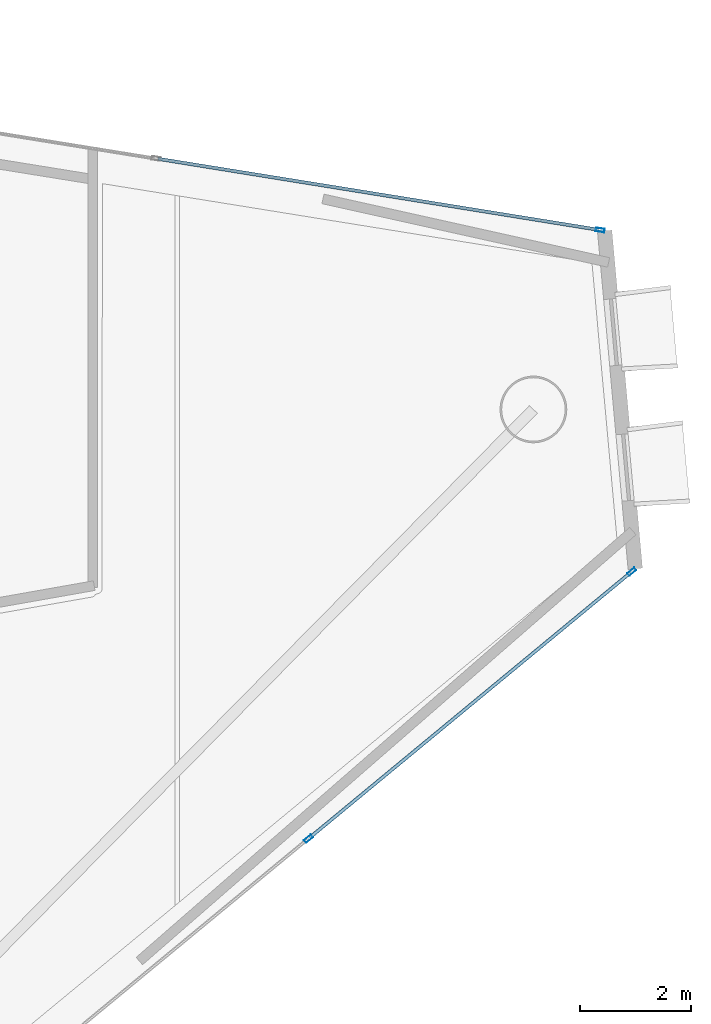
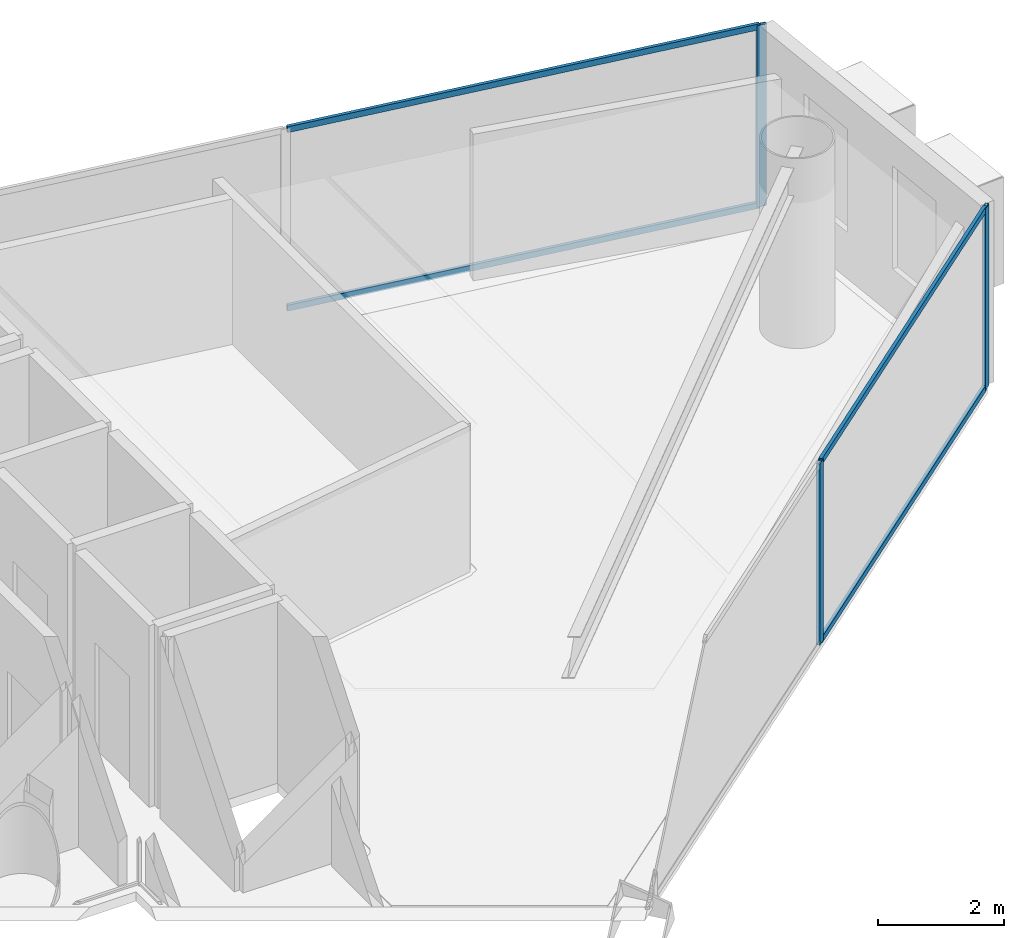
# One storey, part 13 of 21: 7 members, 2 elements without a shape of their own.
"""IFC4 building model written with IfcOpenShell, lengths in metres."""

from ifc_helpers import new_model, si_unit, direction, frame, origin, origin_2d, place, context, subcontext, project, spatial, hollow_rectangle, extrude, material, layer, layer_set, material_profile, profile_set, type_object, element, aggregate, save


model = new_model("IFC4")

# Units and contexts
model_context = context("Model", 3, precision=1e-05, world=origin(), true_north=direction((0.0, 1.0)))
body_context = subcontext(model_context, "Body", "Model", "MODEL_VIEW")
ifc_project = project(units=[si_unit("LENGTHUNIT", "METRE"), si_unit("AREAUNIT", "SQUARE_METRE"), si_unit("VOLUMEUNIT", "CUBIC_METRE"), si_unit("PLANEANGLEUNIT", "RADIAN"), si_unit("MASSUNIT", "GRAM", prefix="KILO")], contexts=[model_context])

# Site, building, storey
site_placement = place(None, origin())
site = spatial("IfcSite", under=ifc_project, at=site_placement, CompositionType="ELEMENT")
building_placement = place(site_placement, origin())
building = spatial("IfcBuilding", under=site, at=building_placement, Name="Qianvela Tower", CompositionType="ELEMENT")
storey_placement = place(building_placement, frame((0.0, 0.0, 211.39990234375)))
storey = spatial("IfcBuildingStorey", under=building, at=storey_placement, Name="L54", CompositionType="ELEMENT", Elevation=211.39990234375)

# Curtain wall, member
ifc_material_1 = material(Name="Anodised Architectural Aluminium and Low-E Glass", Category="aluminium")
ifc_layer = layer(ifc_material_1, 0.159912109375)
ifc_layer_set = layer_set([ifc_layer], Name="Anodised Architectural Aluminium and Low-E Glass")
curtain_wall_type = type_object("IfcCurtainWallType", Name="CW-COLIV-Z56", PredefinedType="USERDEFINED", material=ifc_layer_set)
curtain_wall_1_placement = place(storey_placement, origin())
curtain_wall_1 = element("IfcCurtainWall", 1, at=curtain_wall_1_placement, inside=storey, type_object=curtain_wall_type, Name="L54 CW-COLIV-Z56 Curtain Wall 02A", ObjectType="CURTAIN_WALL_SYSTEM", PredefinedType="USERDEFINED")
ifc_material_2 = material(Name="Anodised Architectural Aluminium 6063-T6", Category="aluminium")
ifc_material_profile_1 = material_profile(ifc_material_2, hollow_rectangle(XDim=0.06494140625, YDim=0.159912109375, WallThickness=0.0048828125, at=origin_2d()), Name="ALU-MULL-65x160")
ifc_profile_set_1 = profile_set([ifc_material_profile_1], Name="Anodised Architectural Aluminium 6063-T6")
member_type_1 = type_object("IfcMemberType", Name="CW-COLIV-Z56-MULL", PredefinedType="MULLION", material=ifc_profile_set_1)
member_1_placement = place(storey_placement, frame((58.09716796875, 34.49609375, 0.0), z_axis=(0.0, 0.0, 1.0), x_axis=(-0.159070395739, -0.98726724305, 0.0)))
member_1 = element("IfcMember", 2, at=member_1_placement, type_object=member_type_1, Name="CW-5 mullion 1", PredefinedType="MULLION", context=body_context, shape_type="SweptSolid", body=[
    extrude(hollow_rectangle(XDim=0.06494140625, YDim=0.159912109375, WallThickness=0.0048828125, at=origin_2d()), origin(), (0.0, 0.0, 1.0), 3.52001953125),
])

# Curtain wall, members
curtain_wall_2_placement = place(storey_placement, origin())
curtain_wall_2 = element("IfcCurtainWall", 3, at=curtain_wall_2_placement, inside=storey, type_object=curtain_wall_type, Name="L54 CW-COLIV-Z56 Curtain Wall 06C", ObjectType="CURTAIN_WALL_SYSTEM", PredefinedType="USERDEFINED")
member_2_placement = place(storey_placement, frame((52.853271484375, 23.552001953125, 0.0), z_axis=(0.0, 0.0, 1.0), x_axis=(-0.636793207665, 0.771034636493, 0.0)))
member_2 = element("IfcMember", 4, at=member_2_placement, type_object=member_type_1, Name="CW-5 mullion 2", PredefinedType="MULLION", context=body_context, shape_type="SweptSolid", body=[
    extrude(hollow_rectangle(XDim=0.06494140625, YDim=0.159912109375, WallThickness=0.0048828125, at=origin_2d()), origin(), (0.0, 0.0, 1.0), 3.52001953125),
])
member_3_placement = place(storey_placement, frame((58.66552734375, 28.3525390625, 0.0), z_axis=(0.0, 0.0, 1.0), x_axis=(-0.636793207665, 0.771034636493, 0.0)))
member_3 = element("IfcMember", 5, at=member_3_placement, type_object=member_type_1, Name="CW-5 mullion 3", PredefinedType="MULLION", context=body_context, shape_type="SweptSolid", body=[
    extrude(hollow_rectangle(XDim=0.06494140625, YDim=0.159912109375, WallThickness=0.0048828125, at=origin_2d()), origin(), (0.0, 0.0, 1.0), 3.52001953125),
])

# Member
ifc_material_3 = material(Name="Anodised Architectural Aluminium 6063-T6", Category="aluminium")
ifc_material_profile_2 = material_profile(ifc_material_3, hollow_rectangle(XDim=0.06005859375, YDim=0.114990234375, WallThickness=0.00390625, at=origin_2d()), Name="ALU-TRAN-60x115")
ifc_profile_set_2 = profile_set([ifc_material_profile_2], Name="Anodised Architectural Aluminium 6063-T6")
member_type_2 = type_object("IfcMemberType", Name="CW-COLIV-Z56-TRAN", PredefinedType="USERDEFINED", material=ifc_profile_set_2)
member_4_placement = place(storey_placement, frame((58.065185546875, 34.501220703125, 0.030029296875), z_axis=(-0.987267804088, 0.159066913629, 0.0), x_axis=(-0.159066913629, -0.987267804088, 0.0)))
member_4 = element("IfcMember", 6, at=member_4_placement, type_object=member_type_2, Name="CW-5 transom 1.1", ObjectType="TRANSOM", PredefinedType="USERDEFINED", context=body_context, shape_type="SweptSolid", body=[
    extrude(hollow_rectangle(XDim=0.06005859375, YDim=0.114990234375, WallThickness=0.00390625, at=origin_2d()), origin(), (0.0, 0.0, 1.0), 8.0224609375),
])

member_5_placement = place(storey_placement, frame((58.065185546875, 34.501220703125, 3.489990234375), z_axis=(-0.987267804088, 0.159066913629, 0.0), x_axis=(-0.159066913629, -0.987267804088, 0.0)))
member_5 = element("IfcMember", 7, at=member_5_placement, type_object=member_type_2, Name="CW-5 transom 1.2", ObjectType="TRANSOM", PredefinedType="USERDEFINED", context=body_context, shape_type="SweptSolid", body=[
    extrude(hollow_rectangle(XDim=0.06005859375, YDim=0.114990234375, WallThickness=0.00390625, at=origin_2d()), origin(), (0.0, 0.0, 1.0), 8.0224609375),
])

aggregate(curtain_wall_1, [member_1, member_4, member_5])

member_6_placement = place(storey_placement, frame((52.878173828125, 23.57275390625, 0.030029296875), z_axis=(0.771044037184, 0.636781825057, 0.0), x_axis=(-0.636781825057, 0.771044037184, 0.0)))
member_6 = element("IfcMember", 8, at=member_6_placement, type_object=member_type_2, Name="CW-5 transom 2.1", ObjectType="TRANSOM", PredefinedType="USERDEFINED", context=body_context, shape_type="SweptSolid", body=[
    extrude(hollow_rectangle(XDim=0.06005859375, YDim=0.114990234375, WallThickness=0.00390625, at=origin_2d()), origin(), (0.0, 0.0, 1.0), 7.4736328125),
])

member_7_placement = place(storey_placement, frame((52.878173828125, 23.57275390625, 3.489990234375), z_axis=(0.771044037184, 0.636781825057, 0.0), x_axis=(-0.636781825057, 0.771044037184, 0.0)))
member_7 = element("IfcMember", 9, at=member_7_placement, type_object=member_type_2, Name="CW-5 transom 2.2", ObjectType="TRANSOM", PredefinedType="USERDEFINED", context=body_context, shape_type="SweptSolid", body=[
    extrude(hollow_rectangle(XDim=0.06005859375, YDim=0.114990234375, WallThickness=0.00390625, at=origin_2d()), origin(), (0.0, 0.0, 1.0), 7.4736328125),
])

aggregate(curtain_wall_2, [member_2, member_3, member_6, member_7])

save(model, "model.ifc")
